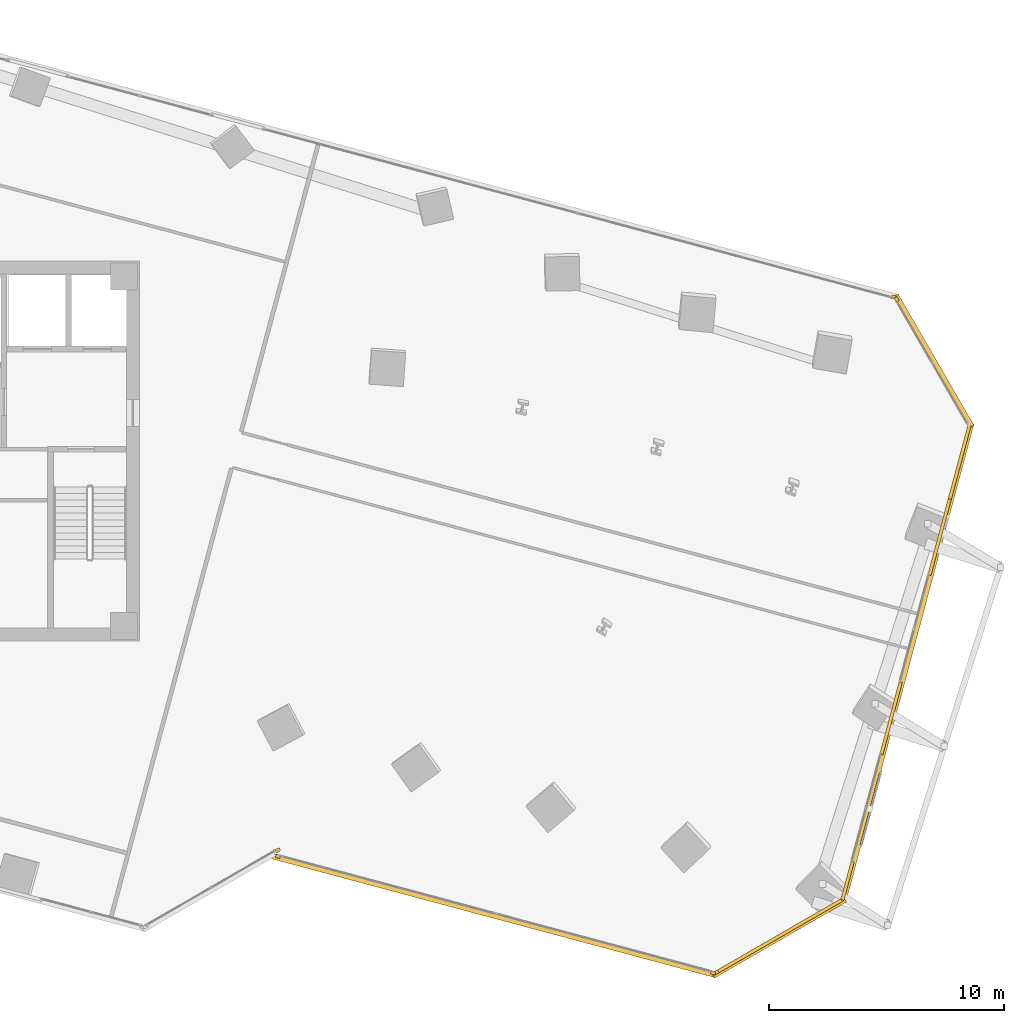
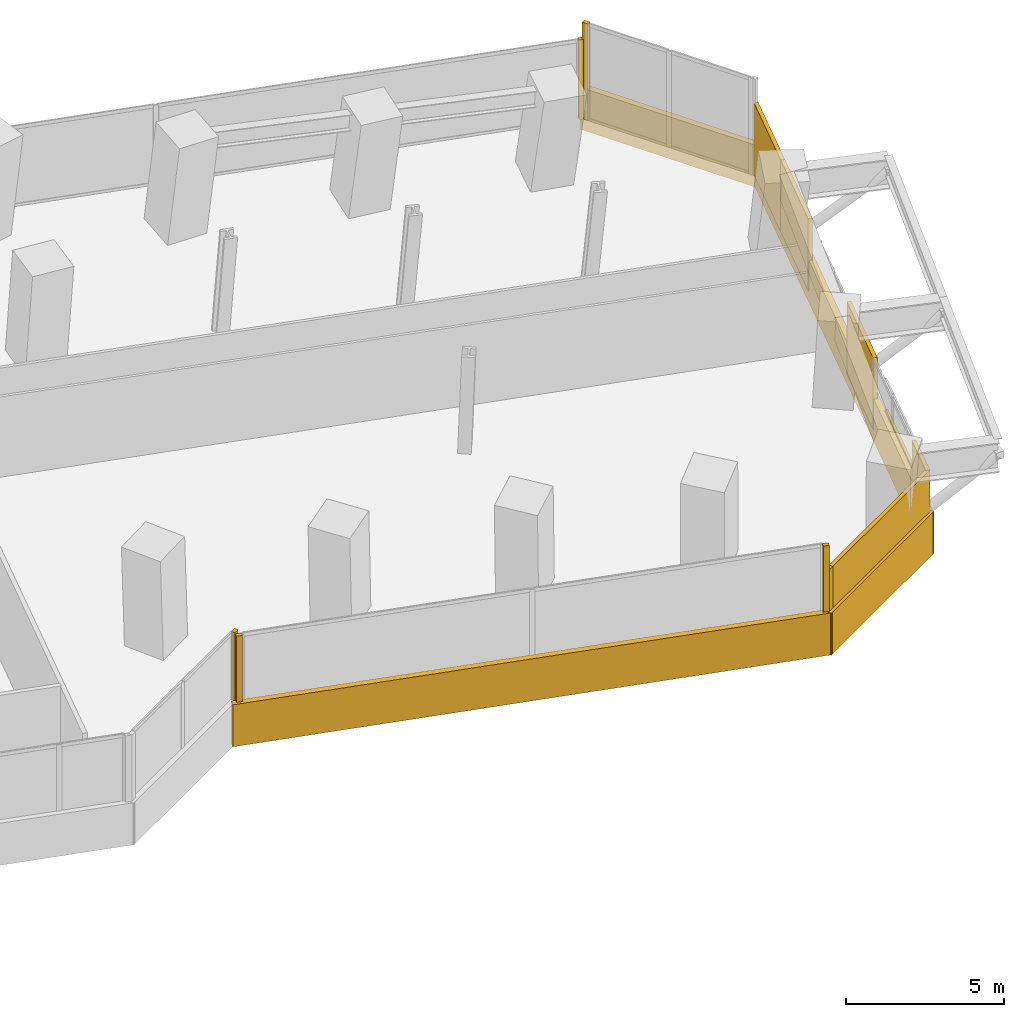
# One storey, part 25 of 27: 15 coverings, 1 shading device.
"""IFC4 building model written with IfcOpenShell, lengths in metres."""

from ifc_helpers import new_model, si_unit, direction, frame, origin, origin_2d, place, context, subcontext, project, spatial, rectangle, extrude, source, transform, mapped, material, layer, layer_set, type_object, element, save


model = new_model("IFC4")

# Units and contexts
model_context = context("Model", 3, precision=1e-05, world=origin(), true_north=direction((0.0, 1.0)))
body_context = subcontext(model_context, "Body", "Model", "MODEL_VIEW")
ifc_project = project(units=[si_unit("LENGTHUNIT", "METRE"), si_unit("AREAUNIT", "SQUARE_METRE"), si_unit("VOLUMEUNIT", "CUBIC_METRE"), si_unit("PLANEANGLEUNIT", "RADIAN"), si_unit("MASSUNIT", "GRAM", prefix="KILO")], contexts=[model_context])

# Site, building, storey
site_placement = place(None, origin())
site = spatial("IfcSite", under=ifc_project, at=site_placement, CompositionType="ELEMENT")
building_placement = place(site_placement, origin())
building = spatial("IfcBuilding", under=site, at=building_placement, Name="Torre Montelarca", CompositionType="ELEMENT")
storey_placement = place(building_placement, frame((0.0, 0.0, 108.39990234375)))
storey = spatial("IfcBuildingStorey", under=building, at=storey_placement, Name="L24", CompositionType="ELEMENT", Elevation=108.39990234375)

# Coverings
ifc_material_1 = material(Name="Bush-hammered warm white precast concrete C45/55", Category="concrete")
ifc_layer_1 = layer(ifc_material_1, 0.139892578125, Name="Bush-hammered warm white precast concrete C45/55", Category="concrete")
ifc_layer_set_1 = layer_set([ifc_layer_1], Name="Bush-hammered warm white precast concrete C45/55")
covering_type = type_object("IfcCoveringType", Name="COV-TRAY-CLAD", PredefinedType="CLADDING", material=ifc_layer_set_1)
shared_shape_1 = source(origin(), body_context, "Body", "SweptSolid", [
    extrude(rectangle(XDim=6.48388671875, YDim=0.219970703125, at=origin_2d()), origin(), (0.0, 0.0, 1.0), 1.6201171875),
])
for number, where, z_axis, x_axis, name in (
    (1, (54.3798828125, 11.25439453125, -0.449951171875), (0.0, 0.0, 1.0), (0.866026276448, 0.4999984885, 0.0), "L24 Architectural White Spandrel Tray Band TRYBOT-05"),
    (2, (60.96875, 35.844482421875, -0.449951171875), (0.0, 0.0, 1.0), (-0.500006045986, 0.866021913105, 0.0), "L24 Architectural White Spandrel Tray Band TRYBOT-07"),
):
    element("IfcCovering", number, at=place(storey_placement, frame(where, z_axis=z_axis, x_axis=x_axis)), inside=storey, type_object=covering_type, Name=name, PredefinedType="CLADDING", context=body_context, shape_type="MappedRepresentation", body=[
        mapped(shared_shape_1, transform((0.0, 0.0, 0.0), scale=1.0)),
    ])
shared_shape_2 = source(origin(), body_context, "Body", "SweptSolid", [
    extrude(rectangle(XDim=21.1201171875, YDim=0.219970703125, at=origin_2d()), origin(), (0.0, 0.0, 1.0), 1.6201171875),
])
covering_1_placement = place(storey_placement, frame((59.839111328125, 22.969482421875, -0.449951171875), z_axis=(0.0, 0.0, 1.0), x_axis=(0.258819045103, 0.965925826289, 0.0)))
element("IfcCovering", 3, at=covering_1_placement, inside=storey, type_object=covering_type, Name="L24 Architectural White Spandrel Tray Band TRYBOT-06", PredefinedType="CLADDING", context=body_context, shape_type="MappedRepresentation", body=[
    mapped(shared_shape_2, transform((0.0, 0.0, 0.0), scale=1.0)),
])
shared_shape_3 = source(origin(), body_context, "Body", "SweptSolid", [
    extrude(rectangle(XDim=19.6201171875, YDim=0.219970703125, at=origin_2d()), origin(), (0.0, 0.0, 1.0), 1.6201171875),
])
covering_2_placement = place(storey_placement, frame((42.22900390625, 12.18994140625, -0.449951171875), z_axis=(0.0, 0.0, 1.0), x_axis=(0.965925374563, -0.258820730961, 0.0)))
element("IfcCovering", 4, at=covering_2_placement, inside=storey, type_object=covering_type, Name="L24 Architectural White Spandrel Tray Band TRYBOT-04", PredefinedType="CLADDING", context=body_context, shape_type="MappedRepresentation", body=[
    mapped(shared_shape_3, transform((0.0, 0.0, 0.0), scale=1.0)),
])

# Shading device
ifc_material_2 = material(Name="Architectural perforated terracotta ceramic", Category="masonry")
ifc_layer_2 = layer(ifc_material_2, 0.080078125, Name="Architectural perforated terracotta ceramic", Category="masonry")
ifc_layer_set_2 = layer_set([ifc_layer_2], Name="Architectural perforated terracotta ceramic")
shading_device_type = type_object("IfcShadingDeviceType", Name="SHD-JALOUSIE-1", PredefinedType="JALOUSIE", material=ifc_layer_set_2)
shared_shape_4 = source(origin(), body_context, "Body", "SweptSolid", [
    extrude(rectangle(XDim=3.199951171875, YDim=0.10009765625, at=origin_2d()), origin(), (0.0, 0.0, 1.0), 1.25),
])
shading_device_placement = place(storey_placement, frame((58.283447265625, 16.738525390625, -0.0048828125), z_axis=(0.0, 0.0, 1.0), x_axis=(0.258819045103, 0.965925826289, 0.0)))
element("IfcShadingDevice", 5, at=shading_device_placement, inside=storey, type_object=shading_device_type, Name="L24 Facade Solar Shading Device E6", PredefinedType="JALOUSIE", context=body_context, shape_type="MappedRepresentation", body=[
    mapped(shared_shape_4, transform((0.0, 0.0, 0.0), scale=1.0)),
])

# Coverings
shared_shape_5 = source(origin(), body_context, "Body", "SweptSolid", [
    extrude(rectangle(XDim=0.199951171875, YDim=0.139892578125, at=origin_2d()), origin(), (0.0, 0.0, 1.0), 3.719970703125),
])
for number, where, z_axis, x_axis, name in (
    (6, (33.002197265625, 14.984619140625, 0.0), (0.0, 0.0, 1.0), (0.866024531118, 0.500001511499, 0.0), "L24 Architectural Column Pier Cladding E02-2"),
    (7, (33.01220703125, 14.7216796875, 0.0), (0.0, 0.0, 1.0), (0.965924471102, -0.258824102675, 0.0), "L24 Architectural Column Pier Cladding E04-1"),
    (8, (51.550537109375, 9.75439453125, 0.0), (0.0, 0.0, 1.0), (0.965924471102, -0.258824102675, 0.0), "L24 Architectural Column Pier Cladding E04-2"),
    (9, (59.383544921875, 38.469970703125, 0.0), (0.0, 0.0, 1.0), (-0.500007557478, 0.866021040428, 0.0), "L24 Architectural Column Pier Cladding E07-2"),
):
    element("IfcCovering", number, at=place(storey_placement, frame(where, z_axis=z_axis, x_axis=x_axis)), inside=storey, type_object=covering_type, Name=name, PredefinedType="CLADDING", context=body_context, shape_type="MappedRepresentation", body=[
        mapped(shared_shape_5, transform((0.0, 0.0, 0.0), scale=1.0)),
    ])
shared_shape_6 = source(origin(), body_context, "Body", "SweptSolid", [
    extrude(rectangle(XDim=0.199951171875, YDim=0.139892578125, at=origin_2d()), origin(), (0.0, 0.0, 1.0), 2.77490234375),
])
covering_3_placement = place(storey_placement, frame((51.6943359375, 9.773193359375, 0.000244140625), z_axis=(0.0, 0.0, 1.0), x_axis=(0.866024531118, 0.500001511499, 0.0)))
element("IfcCovering", 10, at=covering_3_placement, inside=storey, type_object=covering_type, Name="L24 Architectural Column Pier Cladding E05-1", PredefinedType="CLADDING", context=body_context, shape_type="MappedRepresentation", body=[
    mapped(shared_shape_6, transform((0.0, 0.0, 0.0), scale=1.0)),
])
shared_shape_7 = source(origin(), body_context, "Body", "SweptSolid", [
    extrude(rectangle(XDim=0.199951171875, YDim=0.139892578125, at=origin_2d()), origin(), (0.0, 0.0, 1.0), 3.074951171875),
])
covering_4_placement = place(storey_placement, frame((59.2685546875, 38.558349609375, 0.0), z_axis=(0.0, 0.0, 1.0), x_axis=(-0.965925374563, 0.258820730961, 0.0)))
element("IfcCovering", 11, at=covering_4_placement, inside=storey, type_object=covering_type, Name="L24 Architectural Column Pier Cladding E08-1", PredefinedType="CLADDING", context=body_context, shape_type="MappedRepresentation", body=[
    mapped(shared_shape_7, transform((0.0, 0.0, 0.0), scale=1.0)),
])
shared_shape_8 = source(origin(), body_context, "Body", "SweptSolid", [
    extrude(rectangle(XDim=6.232421875, YDim=0.139892578125, at=origin_2d()), origin(), (0.0, 0.0, 1.0), 2.77490234375),
])
covering_5_placement = place(storey_placement, frame((54.39306640625, 11.331298828125, 0.000244140625), z_axis=(0.0, 0.0, 1.0), x_axis=(0.866024531118, 0.500001511499, 0.0)))
element("IfcCovering", 12, at=covering_5_placement, inside=storey, type_object=covering_type, Name="L24 Architectural Column Pier Cladding E05-2", PredefinedType="CLADDING", context=body_context, shape_type="MappedRepresentation", body=[
    mapped(shared_shape_8, transform((0.0, 0.0, 0.0), scale=1.0)),
])
shared_shape_9 = source(origin(), body_context, "Body", "SweptSolid", [
    extrude(rectangle(XDim=1.701171875, YDim=0.139892578125, at=origin_2d()), origin(), (0.0, 0.0, 1.0), 2.77490234375),
])
covering_6_placement = place(storey_placement, frame((57.287841796875, 13.6796875, 0.000244140625), z_axis=(0.0, 0.0, 1.0), x_axis=(0.258819045103, 0.965925826289, 0.0)))
element("IfcCovering", 13, at=covering_6_placement, inside=storey, type_object=covering_type, Name="L24 Architectural Column Pier Cladding E06-1", PredefinedType="CLADDING", context=body_context, shape_type="MappedRepresentation", body=[
    mapped(shared_shape_9, transform((0.0, 0.0, 0.0), scale=1.0)),
])
shared_shape_10 = source(origin(), body_context, "Body", "SweptSolid", [
    extrude(rectangle(XDim=3.199462890625, YDim=0.139892578125, at=origin_2d()), origin(), (0.0, 0.0, 1.0), 2.77490234375),
])
covering_7_placement = place(storey_placement, frame((59.14453125, 20.609130859375, 0.000244140625), z_axis=(0.0, 0.0, 1.0), x_axis=(0.258819045103, 0.965925826289, 0.0)))
element("IfcCovering", 14, at=covering_7_placement, inside=storey, type_object=covering_type, Name="L24 Architectural Column Pier Cladding E06-2", PredefinedType="CLADDING", context=body_context, shape_type="MappedRepresentation", body=[
    mapped(shared_shape_10, transform((0.0, 0.0, 0.0), scale=1.0)),
])
shared_shape_11 = source(origin(), body_context, "Body", "SweptSolid", [
    extrude(rectangle(XDim=3.355224609375, YDim=0.139892578125, at=origin_2d()), origin(), (0.0, 0.0, 1.0), 2.77490234375),
])
covering_8_placement = place(storey_placement, frame((61.2138671875, 28.33203125, 0.000244140625), z_axis=(0.0, 0.0, 1.0), x_axis=(0.258819045103, 0.965925826289, 0.0)))
element("IfcCovering", 15, at=covering_8_placement, inside=storey, type_object=covering_type, Name="L24 Architectural Column Pier Cladding E06-3", PredefinedType="CLADDING", context=body_context, shape_type="MappedRepresentation", body=[
    mapped(shared_shape_11, transform((0.0, 0.0, 0.0), scale=1.0)),
])
shared_shape_12 = source(origin(), body_context, "Body", "SweptSolid", [
    extrude(rectangle(XDim=3.370849609375, YDim=0.139892578125, at=origin_2d()), origin(), (0.0, 0.0, 1.0), 2.77490234375),
])
covering_9_placement = place(storey_placement, frame((62.05859375, 31.48388671875, 0.000244140625), z_axis=(0.0, 0.0, 1.0), x_axis=(0.258819045103, 0.965925826289, 0.0)))
element("IfcCovering", 16, at=covering_9_placement, inside=storey, type_object=covering_type, Name="L24 Architectural Column Pier Cladding E06-4", PredefinedType="CLADDING", context=body_context, shape_type="MappedRepresentation", body=[
    mapped(shared_shape_12, transform((0.0, 0.0, 0.0), scale=1.0)),
])

save(model, "model.ifc")
